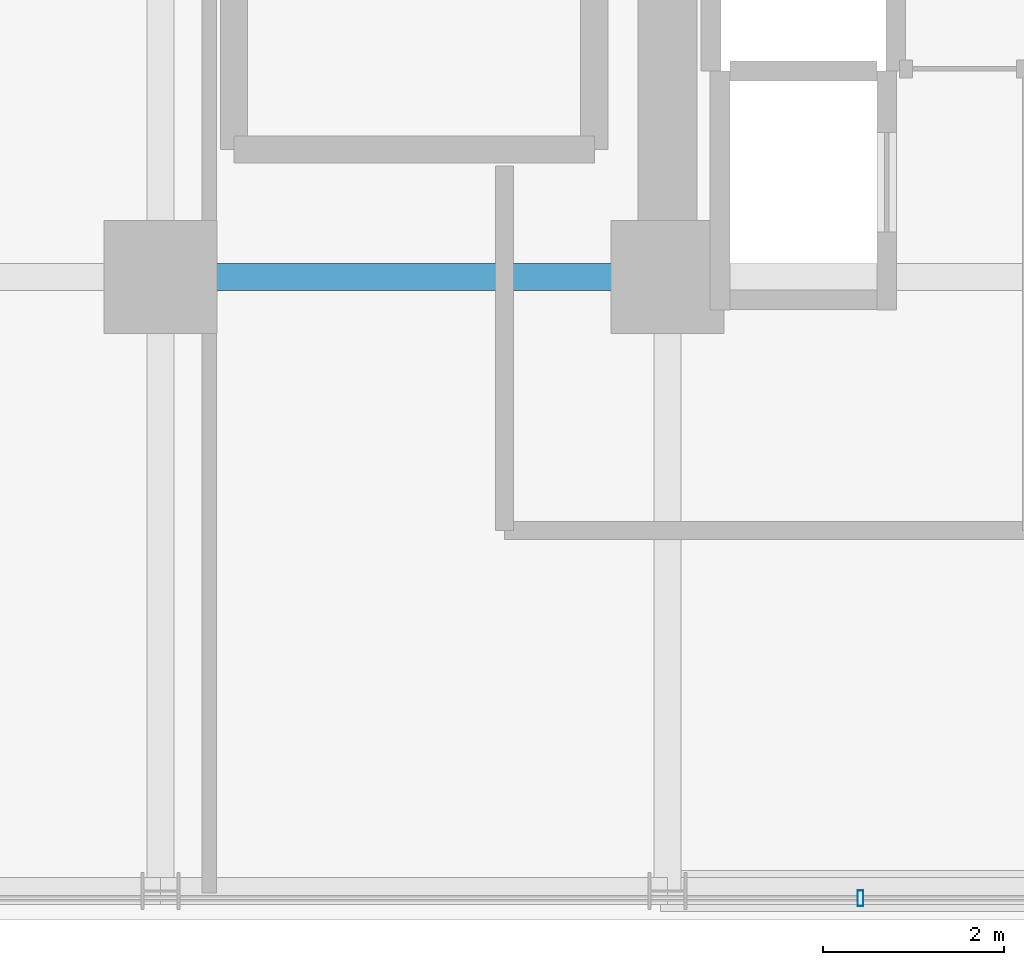
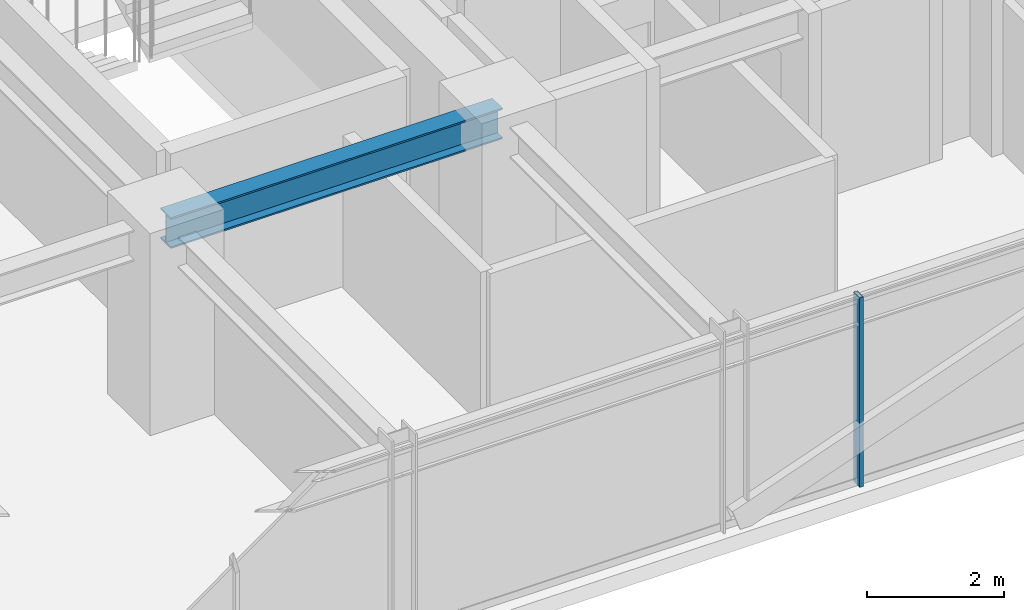
# One storey, part 10 of 35: 1 beam, 1 member, 1 element without a shape of its own.
"""IFC4 building model written with IfcOpenShell, lengths in metres."""

from ifc_helpers import new_model, si_unit, direction, frame, origin, origin_2d, place, context, subcontext, project, spatial, hollow_rectangle, i_section, extrude, source, transform, mapped, material, material_profile, profile_set, type_object, element, aggregate, save


model = new_model("IFC4")

# Units and contexts
model_context = context("Model", 3, precision=1e-05, world=origin(), true_north=direction((0.0, 1.0)))
body_context = subcontext(model_context, "Body", "Model", "MODEL_VIEW")
ifc_project = project(units=[si_unit("LENGTHUNIT", "METRE"), si_unit("AREAUNIT", "SQUARE_METRE"), si_unit("VOLUMEUNIT", "CUBIC_METRE"), si_unit("PLANEANGLEUNIT", "RADIAN"), si_unit("MASSUNIT", "GRAM", prefix="KILO")], contexts=[model_context])

# Site, building, storey
site_placement = place(None, origin())
site = spatial("IfcSite", under=ifc_project, at=site_placement, CompositionType="ELEMENT")
building_placement = place(site_placement, origin())
building = spatial("IfcBuilding", under=site, at=building_placement, Name="Nahalor Promenade Grand Hotel", CompositionType="ELEMENT")
storey_placement = place(building_placement, frame((0.0, 0.0, 121.14990234375)))
storey = spatial("IfcBuildingStorey", under=building, at=storey_placement, Name="L30", CompositionType="ELEMENT", Elevation=121.14990234375)

# Beam
ifc_material_1 = material(Name="Steel S355JR", Category="steel")
ifc_material_profile_1 = material_profile(ifc_material_1, i_section(OverallWidth=0.3, OverallDepth=0.55, WebThickness=0.015, FlangeThickness=0.029, at=origin_2d()), Name="HEB 550")
ifc_profile_set_1 = profile_set([ifc_material_profile_1], Name="Steel S355JR")
beam_type = type_object("IfcBeamType", Name="Beam-Girder-HEB550", PredefinedType="BEAM", material=ifc_profile_set_1)
shared_shape_1 = source(origin(), body_context, "Body", "SweptSolid", [
    extrude(i_section(OverallWidth=0.3, OverallDepth=0.55, WebThickness=0.015, FlangeThickness=0.029, at=origin_2d()), origin(), (0.0, 0.0, 1.0), 5.599853515625),
])
beam_placement = place(storey_placement, frame((2.800048828125, -17.0, 3.10498046875), z_axis=(1.0, 0.0, 0.0), x_axis=(0.0, 1.0, 0.0)))
element("IfcBeam", 1, at=beam_placement, inside=storey, type_object=beam_type, Name="BM-L30-GX-0-4", PredefinedType="BEAM", context=body_context, shape_type="MappedRepresentation", body=[
    mapped(shared_shape_1, transform((0.0, 0.0, 0.0), scale=1.0)),
])

# Curtain wall, member
ifc_material_2 = material(Name="Anodised Bronze Aluminium EN AW-6063 T6", Category="aluminium")
curtain_wall_type = type_object("IfcCurtainWallType", Name="CW2 Typical Hotel Flush Bronze Unitised Curtain Wall", PredefinedType="USERDEFINED", material=ifc_material_2)
curtain_wall_placement = place(storey_placement, origin())
curtain_wall = element("IfcCurtainWall", 2, at=curtain_wall_placement, inside=storey, type_object=curtain_wall_type, Name="L30 Curtain Wall CW-L30-S-1", ObjectType="UNITISED_CURTAIN_WALL", PredefinedType="USERDEFINED")
ifc_material_profile_2 = material_profile(ifc_material_2, hollow_rectangle(XDim=0.065, YDim=0.18, WallThickness=0.004, at=origin_2d()), Name="CWM 65x180x4")
ifc_profile_set_2 = profile_set([ifc_material_profile_2], Name="Anodised Bronze Aluminium EN AW-6063 T6")
member_type = type_object("IfcMemberType", Name="CWM2 Typical Bronze Mullion 65x180", PredefinedType="MULLION", material=ifc_profile_set_2)
shared_shape_2 = source(origin(), body_context, "Body", "SweptSolid", [
    extrude(hollow_rectangle(XDim=0.065, YDim=0.18, WallThickness=0.004, at=origin_2d()), origin(), (0.0, 0.0, 1.0), 3.380126953125),
])
member_placement = place(storey_placement, frame((10.530029296875, -23.860107421875, 0.0), z_axis=(0.0, 0.0, 1.0), x_axis=(1.0, 0.0, 0.0)))
member = element("IfcMember", 3, at=member_placement, type_object=member_type, Name="CW-L30-S-1 Mullion 3", PredefinedType="MULLION", context=body_context, shape_type="MappedRepresentation", body=[
    mapped(shared_shape_2, transform((0.0, 0.0, 0.0), scale=1.0)),
])
aggregate(curtain_wall, [member])

save(model, "model.ifc")
